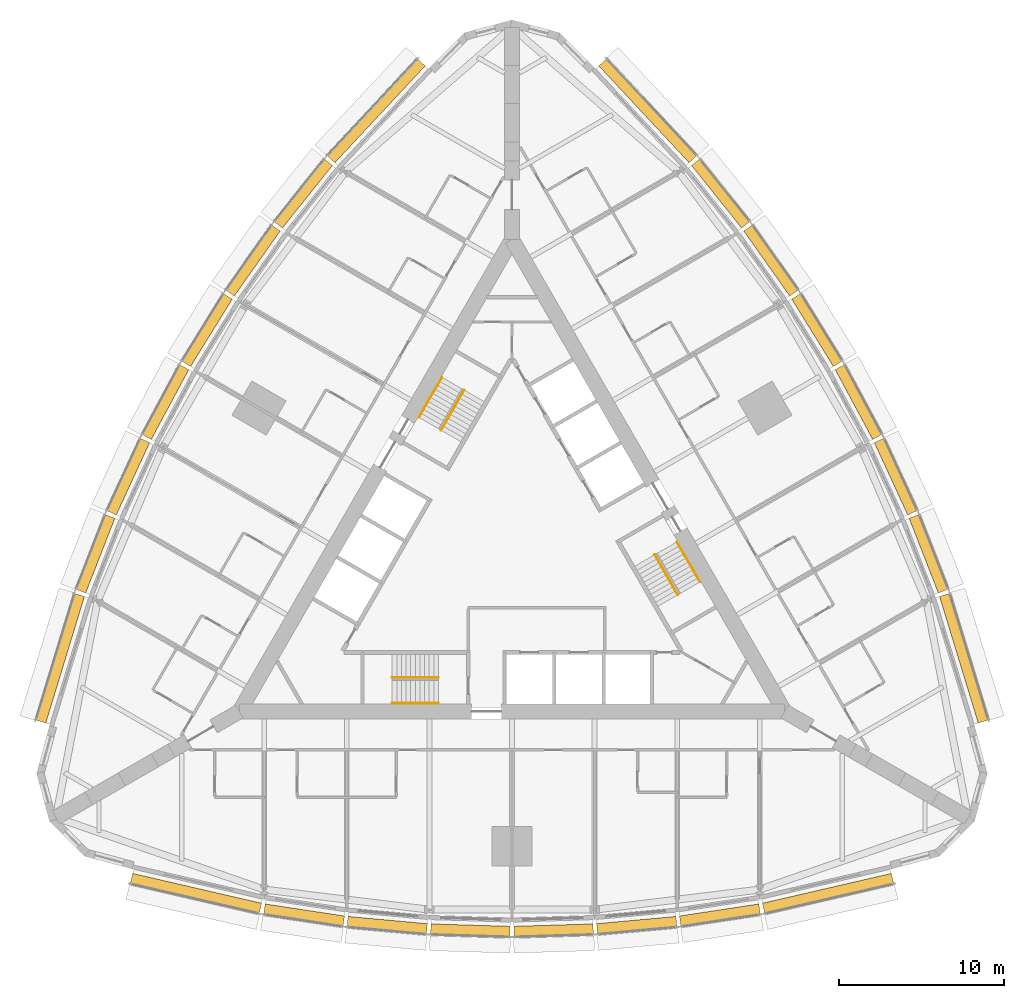
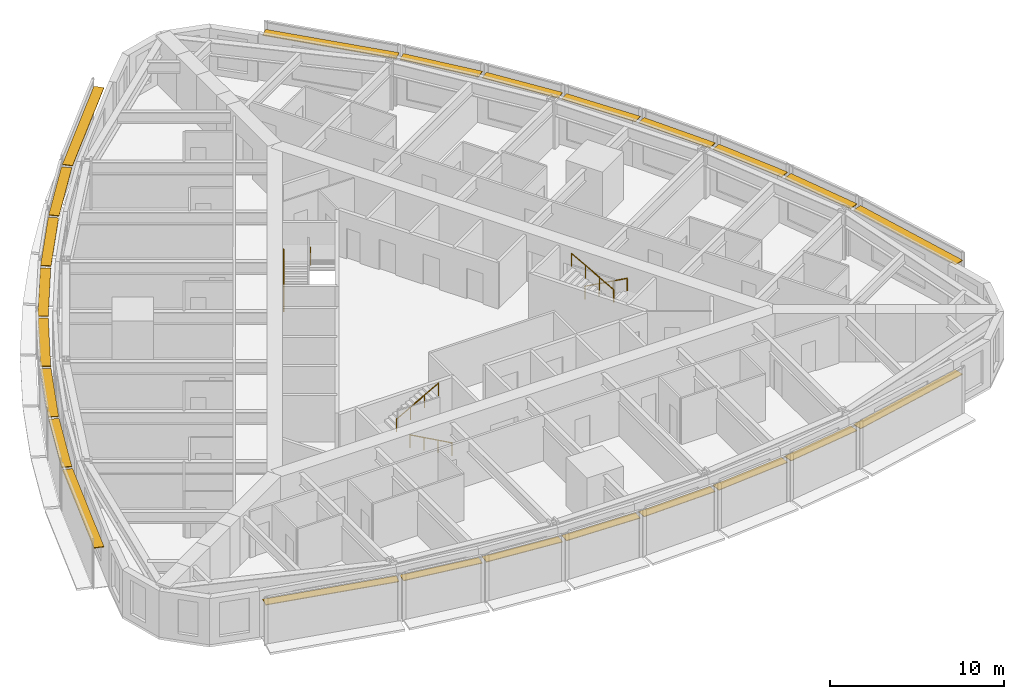
# One storey, part 14 of 14: 24 shading devices, 6 railings.
"""IFC4 building model written with IfcOpenShell, lengths in metres."""

from ifc_helpers import new_model, si_unit, direction, frame, origin, origin_2d, place, context, subcontext, project, spatial, rectangle, circle, extrude, material, type_object, element, save


model = new_model("IFC4")

# Units and contexts
model_context = context("Model", 3, precision=1e-05, world=origin(), true_north=direction((0.0, 1.0)))
body_context = subcontext(model_context, "Body", "Model", "MODEL_VIEW")
ifc_project = project(units=[si_unit("LENGTHUNIT", "METRE"), si_unit("AREAUNIT", "SQUARE_METRE"), si_unit("VOLUMEUNIT", "CUBIC_METRE"), si_unit("PLANEANGLEUNIT", "RADIAN"), si_unit("MASSUNIT", "GRAM", prefix="KILO")], contexts=[model_context])

# Site, building, storey
site_placement = place(None, origin())
site = spatial("IfcSite", under=ifc_project, at=site_placement, CompositionType="ELEMENT")
building_placement = place(site_placement, origin())
building = spatial("IfcBuilding", under=site, at=building_placement, Name="Trikona Tower", CompositionType="ELEMENT")
storey_placement = place(building_placement, frame((0.0, 0.0, 42.10009765625)))
storey = spatial("IfcBuildingStorey", under=building, at=storey_placement, Name="L09", CompositionType="ELEMENT", Elevation=42.10009765625)

# Shading devices
ifc_material_1 = material(Name="Aluminium louvre blade, pale anodised", Category="aluminium")
shading_device_type = type_object("IfcShadingDeviceType", Name="Cavity louvre 600", PredefinedType="USERDEFINED", material=ifc_material_1)
shading_device_1_placement = place(storey_placement, frame((-19.126220703125, -20.5234375, 2.77490234375), z_axis=(0.0, 0.0, 1.0), x_axis=(0.974277718622, -0.225350675607, 0.0)))
element("IfcShadingDevice", 1, at=shading_device_1_placement, inside=storey, type_object=shading_device_type, Name="Cavity louvre L09-00", ObjectType="LOUVRE", PredefinedType="USERDEFINED", context=body_context, shape_type="SweptSolid", body=[
    extrude(rectangle(XDim=8.01123046875, YDim=0.60009765625, at=origin_2d()), origin(), (0.0, 0.0, 1.0), 0.050048828125),
])
shading_device_2_placement = place(storey_placement, frame((-12.584228515625, -21.837158203125, 2.77490234375), z_axis=(0.0, 0.0, 1.0), x_axis=(0.988617896768, -0.150448177754, 0.0)))
element("IfcShadingDevice", 2, at=shading_device_2_placement, inside=storey, type_object=shading_device_type, Name="Cavity louvre L09-01", ObjectType="LOUVRE", PredefinedType="USERDEFINED", context=body_context, shape_type="SweptSolid", body=[
    extrude(rectangle(XDim=4.857666015625, YDim=0.60009765625, at=origin_2d()), origin(), (0.0, 0.0, 1.0), 0.050048828125),
])
shading_device_3_placement = place(storey_placement, frame((-7.55078125, -22.44970703125, 2.77490234375), z_axis=(0.0, 0.0, 1.0), x_axis=(0.995858098326, -0.090921108655, 0.0)))
element("IfcShadingDevice", 3, at=shading_device_3_placement, inside=storey, type_object=shading_device_type, Name="Cavity louvre L09-02", ObjectType="LOUVRE", PredefinedType="USERDEFINED", context=body_context, shape_type="SweptSolid", body=[
    extrude(rectangle(XDim=4.82080078125, YDim=0.60009765625, at=origin_2d()), origin(), (0.0, 0.0, 1.0), 0.050048828125),
])
for number, where, z_axis, x_axis, name in (
    (4, (-2.51708984375, -22.756103515625, 2.77490234375), (0.0, 0.0, 1.0), (0.999537048889, -0.030425119525, 0.0), "Cavity louvre L09-03"),
    (5, (2.51708984375, -22.756103515625, 2.77490234375), (0.0, 0.0, 1.0), (0.999537048889, 0.030425119525, 0.0), "Cavity louvre L09-04"),
):
    element("IfcShadingDevice", number, at=place(storey_placement, frame(where, z_axis=z_axis, x_axis=x_axis)), inside=storey, type_object=shading_device_type, Name=name, ObjectType="LOUVRE", PredefinedType="USERDEFINED", context=body_context, shape_type="SweptSolid", body=[
        extrude(rectangle(XDim=4.80224609375, YDim=0.60009765625, at=origin_2d()), origin(), (0.0, 0.0, 1.0), 0.050048828125),
    ])
shading_device_4_placement = place(storey_placement, frame((7.55078125, -22.44970703125, 2.77490234375), z_axis=(0.0, 0.0, 1.0), x_axis=(0.995858098326, 0.090921108655, 0.0)))
element("IfcShadingDevice", 6, at=shading_device_4_placement, inside=storey, type_object=shading_device_type, Name="Cavity louvre L09-05", ObjectType="LOUVRE", PredefinedType="USERDEFINED", context=body_context, shape_type="SweptSolid", body=[
    extrude(rectangle(XDim=4.82080078125, YDim=0.60009765625, at=origin_2d()), origin(), (0.0, 0.0, 1.0), 0.050048828125),
])
shading_device_5_placement = place(storey_placement, frame((12.584228515625, -21.837158203125, 2.77490234375), z_axis=(0.0, 0.0, 1.0), x_axis=(0.988617896768, 0.150448177754, 0.0)))
element("IfcShadingDevice", 7, at=shading_device_5_placement, inside=storey, type_object=shading_device_type, Name="Cavity louvre L09-06", ObjectType="LOUVRE", PredefinedType="USERDEFINED", context=body_context, shape_type="SweptSolid", body=[
    extrude(rectangle(XDim=4.857666015625, YDim=0.60009765625, at=origin_2d()), origin(), (0.0, 0.0, 1.0), 0.050048828125),
])
for number, where, z_axis, x_axis, name in (
    (8, (19.126220703125, -20.5234375, 2.77490234375), (0.0, 0.0, 1.0), (0.974277718622, 0.225350675607, 0.0), "Cavity louvre L09-07"),
    (9, (27.3369140625, -6.302001953125, 2.77490234375), (0.0, 0.0, 1.0), (-0.291979449475, 0.956424592471, 0.0), "Cavity louvre L09-12"),
):
    element("IfcShadingDevice", number, at=place(storey_placement, frame(where, z_axis=z_axis, x_axis=x_axis)), inside=storey, type_object=shading_device_type, Name=name, ObjectType="LOUVRE", PredefinedType="USERDEFINED", context=body_context, shape_type="SweptSolid", body=[
        extrude(rectangle(XDim=8.01123046875, YDim=0.60009765625, at=origin_2d()), origin(), (0.0, 0.0, 1.0), 0.050048828125),
    ])
shading_device_6_placement = place(storey_placement, frame((25.20361328125, 0.020263671875, 2.77490234375), z_axis=(0.0, 0.0, 1.0), x_axis=(-0.364008876551, 0.931395478726, 0.0)))
element("IfcShadingDevice", 10, at=shading_device_6_placement, inside=storey, type_object=shading_device_type, Name="Cavity louvre L09-13", ObjectType="LOUVRE", PredefinedType="USERDEFINED", context=body_context, shape_type="SweptSolid", body=[
    extrude(rectangle(XDim=4.857666015625, YDim=0.60009765625, at=origin_2d()), origin(), (0.0, 0.0, 1.0), 0.050048828125),
])
shading_device_7_placement = place(storey_placement, frame((23.217529296875, 4.685546875, 2.77490234375), z_axis=(0.0, 0.0, 1.0), x_axis=(-0.41919381307, 0.907896771161, 0.0)))
element("IfcShadingDevice", 11, at=shading_device_7_placement, inside=storey, type_object=shading_device_type, Name="Cavity louvre L09-14", ObjectType="LOUVRE", PredefinedType="USERDEFINED", context=body_context, shape_type="SweptSolid", body=[
    extrude(rectangle(XDim=4.82080078125, YDim=0.60009765625, at=origin_2d()), origin(), (0.0, 0.0, 1.0), 0.050048828125),
])
for number, where, z_axis, x_axis, name in (
    (12, (20.966064453125, 9.1982421875, 2.77490234375), (0.0, 0.0, 1.0), (-0.473422672721, 0.880835383572, 0.0), "Cavity louvre L09-15"),
    (13, (18.448974609375, 13.557861328125, 2.77490234375), (0.0, 0.0, 1.0), (-0.526118935114, 0.85041099835, 0.0), "Cavity louvre L09-16"),
):
    element("IfcShadingDevice", number, at=place(storey_placement, frame(where, z_axis=z_axis, x_axis=x_axis)), inside=storey, type_object=shading_device_type, Name=name, ObjectType="LOUVRE", PredefinedType="USERDEFINED", context=body_context, shape_type="SweptSolid", body=[
        extrude(rectangle(XDim=4.80224609375, YDim=0.60009765625, at=origin_2d()), origin(), (0.0, 0.0, 1.0), 0.050048828125),
    ])
shading_device_8_placement = place(storey_placement, frame((15.666748046875, 17.76416015625, 2.77490234375), z_axis=(0.0, 0.0, 1.0), x_axis=(-0.576661909499, 0.816982889743, 0.0)))
element("IfcShadingDevice", 14, at=shading_device_8_placement, inside=storey, type_object=shading_device_type, Name="Cavity louvre L09-17", ObjectType="LOUVRE", PredefinedType="USERDEFINED", context=body_context, shape_type="SweptSolid", body=[
    extrude(rectangle(XDim=4.82080078125, YDim=0.60009765625, at=origin_2d()), origin(), (0.0, 0.0, 1.0), 0.050048828125),
])
shading_device_9_placement = place(storey_placement, frame((12.619384765625, 21.81689453125, 2.77490234375), z_axis=(0.0, 0.0, 1.0), x_axis=(-0.624603618277, 0.780941944087, 0.0)))
element("IfcShadingDevice", 15, at=shading_device_9_placement, inside=storey, type_object=shading_device_type, Name="Cavity louvre L09-18", ObjectType="LOUVRE", PredefinedType="USERDEFINED", context=body_context, shape_type="SweptSolid", body=[
    extrude(rectangle(XDim=4.857666015625, YDim=0.60009765625, at=origin_2d()), origin(), (0.0, 0.0, 1.0), 0.050048828125),
])
for number, where, z_axis, x_axis, name in (
    (16, (8.210693359375, 26.825439453125, 2.77490234375), (0.0, 0.0, 1.0), (-0.682298269147, 0.731073916864, 0.0), "Cavity louvre L09-19"),
    (17, (-8.210693359375, 26.825439453125, 2.77490234375), (0.0, 0.0, 1.0), (-0.682298269147, -0.731073916864, 0.0), "Cavity louvre L09-24"),
):
    element("IfcShadingDevice", number, at=place(storey_placement, frame(where, z_axis=z_axis, x_axis=x_axis)), inside=storey, type_object=shading_device_type, Name=name, ObjectType="LOUVRE", PredefinedType="USERDEFINED", context=body_context, shape_type="SweptSolid", body=[
        extrude(rectangle(XDim=8.01123046875, YDim=0.60009765625, at=origin_2d()), origin(), (0.0, 0.0, 1.0), 0.050048828125),
    ])
shading_device_10_placement = place(storey_placement, frame((-12.619384765625, 21.81689453125, 2.77490234375), z_axis=(0.0, 0.0, 1.0), x_axis=(-0.624603618277, -0.780941944087, 0.0)))
element("IfcShadingDevice", 18, at=shading_device_10_placement, inside=storey, type_object=shading_device_type, Name="Cavity louvre L09-25", ObjectType="LOUVRE", PredefinedType="USERDEFINED", context=body_context, shape_type="SweptSolid", body=[
    extrude(rectangle(XDim=4.857666015625, YDim=0.60009765625, at=origin_2d()), origin(), (0.0, 0.0, 1.0), 0.050048828125),
])
shading_device_11_placement = place(storey_placement, frame((-15.666748046875, 17.76416015625, 2.77490234375), z_axis=(0.0, 0.0, 1.0), x_axis=(-0.576661909499, -0.816982889743, 0.0)))
element("IfcShadingDevice", 19, at=shading_device_11_placement, inside=storey, type_object=shading_device_type, Name="Cavity louvre L09-26", ObjectType="LOUVRE", PredefinedType="USERDEFINED", context=body_context, shape_type="SweptSolid", body=[
    extrude(rectangle(XDim=4.82080078125, YDim=0.60009765625, at=origin_2d()), origin(), (0.0, 0.0, 1.0), 0.050048828125),
])
for number, where, z_axis, x_axis, name in (
    (20, (-18.448974609375, 13.557861328125, 2.77490234375), (0.0, 0.0, 1.0), (-0.526118935114, -0.85041099835, 0.0), "Cavity louvre L09-27"),
    (21, (-20.966064453125, 9.1982421875, 2.77490234375), (0.0, 0.0, 1.0), (-0.473422672721, -0.880835383572, 0.0), "Cavity louvre L09-28"),
):
    element("IfcShadingDevice", number, at=place(storey_placement, frame(where, z_axis=z_axis, x_axis=x_axis)), inside=storey, type_object=shading_device_type, Name=name, ObjectType="LOUVRE", PredefinedType="USERDEFINED", context=body_context, shape_type="SweptSolid", body=[
        extrude(rectangle(XDim=4.80224609375, YDim=0.60009765625, at=origin_2d()), origin(), (0.0, 0.0, 1.0), 0.050048828125),
    ])
shading_device_12_placement = place(storey_placement, frame((-23.217529296875, 4.685546875, 2.77490234375), z_axis=(0.0, 0.0, 1.0), x_axis=(-0.41919381307, -0.907896771161, 0.0)))
element("IfcShadingDevice", 22, at=shading_device_12_placement, inside=storey, type_object=shading_device_type, Name="Cavity louvre L09-29", ObjectType="LOUVRE", PredefinedType="USERDEFINED", context=body_context, shape_type="SweptSolid", body=[
    extrude(rectangle(XDim=4.82080078125, YDim=0.60009765625, at=origin_2d()), origin(), (0.0, 0.0, 1.0), 0.050048828125),
])
shading_device_13_placement = place(storey_placement, frame((-25.20361328125, 0.020263671875, 2.77490234375), z_axis=(0.0, 0.0, 1.0), x_axis=(-0.364008876551, -0.931395478726, 0.0)))
element("IfcShadingDevice", 23, at=shading_device_13_placement, inside=storey, type_object=shading_device_type, Name="Cavity louvre L09-30", ObjectType="LOUVRE", PredefinedType="USERDEFINED", context=body_context, shape_type="SweptSolid", body=[
    extrude(rectangle(XDim=4.857666015625, YDim=0.60009765625, at=origin_2d()), origin(), (0.0, 0.0, 1.0), 0.050048828125),
])
shading_device_14_placement = place(storey_placement, frame((-27.3369140625, -6.302001953125, 2.77490234375), z_axis=(0.0, 0.0, 1.0), x_axis=(-0.291979449475, -0.956424592471, 0.0)))
element("IfcShadingDevice", 24, at=shading_device_14_placement, inside=storey, type_object=shading_device_type, Name="Cavity louvre L09-31", ObjectType="LOUVRE", PredefinedType="USERDEFINED", context=body_context, shape_type="SweptSolid", body=[
    extrude(rectangle(XDim=8.01123046875, YDim=0.60009765625, at=origin_2d()), origin(), (0.0, 0.0, 1.0), 0.050048828125),
])

# Railings
ifc_material_2 = material(Name="Stainless steel handrail", Category="steel")
railing_type = type_object("IfcRailingType", Name="Stair handrail", PredefinedType="HANDRAIL", material=ifc_material_2)
railing_1_placement = place(storey_placement, frame((-4.449951171875, -9.016357421875, 0.154296875)))
element("IfcRailing", 25, at=railing_1_placement, inside=storey, type_object=railing_type, Name="Stair handrail A L09 1", PredefinedType="HANDRAIL", context=body_context, shape_type="SweptSolid", body=[
    extrude(circle(Radius=0.02392578125, at=origin_2d()), frame((0.0, 0.0, 0.8759765625), z_axis=(-0.875471895205, 0.0, 0.483269035534), x_axis=(0.0, -1.0, 0.0)), (0.0, 0.0, 1.0), 3.1982421875),
    extrude(circle(Radius=0.02099609375, at=origin_2d()), origin(), (0.0, 0.0, 1.0), 0.851806640625),
    extrude(circle(Radius=0.02099609375, at=origin_2d()), frame((-0.933349609375, 0.0, 0.51513671875)), (0.0, 0.0, 1.0), 0.851806640625),
    extrude(circle(Radius=0.02099609375, at=origin_2d()), frame((-1.86669921875, 0.0, 1.030517578125)), (0.0, 0.0, 1.0), 0.851806640625),
    extrude(circle(Radius=0.02099609375, at=origin_2d()), frame((-2.800048828125, 0.0, 1.545654296875)), (0.0, 0.0, 1.0), 0.851806640625),
])
railing_2_placement = place(storey_placement, frame((-7.25, -7.46630859375, 1.8544921875)))
element("IfcRailing", 26, at=railing_2_placement, inside=storey, type_object=railing_type, Name="Stair handrail A L09 2", PredefinedType="HANDRAIL", context=body_context, shape_type="SweptSolid", body=[
    extrude(circle(Radius=0.02392578125, at=origin_2d()), frame((0.0, 0.0, 0.8759765625), z_axis=(0.875504190374, 0.0, 0.483210526207), x_axis=(0.0, 1.0, 0.0)), (0.0, 0.0, 1.0), 3.1982421875),
    extrude(circle(Radius=0.02099609375, at=origin_2d()), origin(), (0.0, 0.0, 1.0), 0.851806640625),
    extrude(circle(Radius=0.02099609375, at=origin_2d()), frame((0.933349609375, 0.0, 0.51513671875)), (0.0, 0.0, 1.0), 0.851806640625),
    extrude(circle(Radius=0.02099609375, at=origin_2d()), frame((1.86669921875, 0.0, 1.0302734375)), (0.0, 0.0, 1.0), 0.851806640625),
    extrude(circle(Radius=0.02099609375, at=origin_2d()), frame((2.800048828125, 0.0, 1.54541015625)), (0.0, 0.0, 1.0), 0.851806640625),
])
railing_3_placement = place(storey_placement, frame((9.9833984375, 0.740966796875, 0.154296875)))
element("IfcRailing", 27, at=railing_3_placement, inside=storey, type_object=railing_type, Name="Stair handrail B L09 1", PredefinedType="HANDRAIL", context=body_context, shape_type="SweptSolid", body=[
    extrude(circle(Radius=0.02392578125, at=origin_2d()), frame((0.0, 0.0, 0.8759765625), z_axis=(0.437691042731, -0.758211567396, 0.483261596012), x_axis=(0.866056369097, 0.49994636267, 0.0)), (0.0, 0.0, 1.0), 3.198486328125),
    extrude(circle(Radius=0.02099609375, at=origin_2d()), origin(), (0.0, 0.0, 1.0), 0.851806640625),
    extrude(circle(Radius=0.02099609375, at=origin_2d()), frame((0.466552734375, -0.808349609375, 0.51513671875)), (0.0, 0.0, 1.0), 0.851806640625),
    extrude(circle(Radius=0.02099609375, at=origin_2d()), frame((0.933349609375, -1.61669921875, 1.030517578125)), (0.0, 0.0, 1.0), 0.851806640625),
    extrude(circle(Radius=0.02099609375, at=origin_2d()), frame((1.39990234375, -2.425048828125, 1.545654296875)), (0.0, 0.0, 1.0), 0.851806640625),
])
railing_4_placement = place(storey_placement, frame((10.041015625, -2.458984375, 1.8544921875)))
element("IfcRailing", 28, at=railing_4_placement, inside=storey, type_object=railing_type, Name="Stair handrail B L09 2", PredefinedType="HANDRAIL", context=body_context, shape_type="SweptSolid", body=[
    extrude(circle(Radius=0.02392578125, at=origin_2d()), frame((0.0, 0.0, 0.8759765625), z_axis=(-0.437707188162, 0.758239536103, 0.483203087036), x_axis=(-0.866056369097, -0.49994636267, 0.0)), (0.0, 0.0, 1.0), 3.1982421875),
    extrude(circle(Radius=0.02099609375, at=origin_2d()), origin(), (0.0, 0.0, 1.0), 0.851806640625),
    extrude(circle(Radius=0.02099609375, at=origin_2d()), frame((-0.466552734375, 0.808349609375, 0.51513671875)), (0.0, 0.0, 1.0), 0.851806640625),
    extrude(circle(Radius=0.02099609375, at=origin_2d()), frame((-0.933349609375, 1.61669921875, 1.0302734375)), (0.0, 0.0, 1.0), 0.851806640625),
    extrude(circle(Radius=0.02099609375, at=origin_2d()), frame((-1.39990234375, 2.425048828125, 1.54541015625)), (0.0, 0.0, 1.0), 0.851806640625),
])
railing_5_placement = place(storey_placement, frame((-5.63330078125, 8.275390625, 0.154296875)))
element("IfcRailing", 29, at=railing_5_placement, inside=storey, type_object=railing_type, Name="Stair handrail C L09 1", PredefinedType="HANDRAIL", context=body_context, shape_type="SweptSolid", body=[
    extrude(circle(Radius=0.02392578125, at=origin_2d()), frame((0.0, 0.0, 0.8759765625), z_axis=(0.437716375571, 0.758179114435, 0.4832895664), x_axis=(-0.866034573852, 0.49998411664, 0.0)), (0.0, 0.0, 1.0), 3.1982421875),
    extrude(circle(Radius=0.02099609375, at=origin_2d()), origin(), (0.0, 0.0, 1.0), 0.851806640625),
    extrude(circle(Radius=0.02099609375, at=origin_2d()), frame((0.466552734375, 0.808349609375, 0.51513671875)), (0.0, 0.0, 1.0), 0.851806640625),
    extrude(circle(Radius=0.02099609375, at=origin_2d()), frame((0.933349609375, 1.616455078125, 1.030517578125)), (0.0, 0.0, 1.0), 0.851806640625),
    extrude(circle(Radius=0.02099609375, at=origin_2d()), frame((1.39990234375, 2.4248046875, 1.545654296875)), (0.0, 0.0, 1.0), 0.851806640625),
])
railing_6_placement = place(storey_placement, frame((-2.89111328125, 9.92529296875, 1.8544921875)))
element("IfcRailing", 30, at=railing_6_placement, inside=storey, type_object=railing_type, Name="Stair handrail C L09 2", PredefinedType="HANDRAIL", context=body_context, shape_type="SweptSolid", body=[
    extrude(circle(Radius=0.02392578125, at=origin_2d()), frame((0.0, 0.0, 0.8759765625), z_axis=(-0.437707188162, -0.758239536103, 0.483203087036), x_axis=(0.866056369097, -0.49994636267, 0.0)), (0.0, 0.0, 1.0), 3.1982421875),
    extrude(circle(Radius=0.02099609375, at=origin_2d()), origin(), (0.0, 0.0, 1.0), 0.851806640625),
    extrude(circle(Radius=0.02099609375, at=origin_2d()), frame((-0.466552734375, -0.808349609375, 0.51513671875)), (0.0, 0.0, 1.0), 0.851806640625),
    extrude(circle(Radius=0.02099609375, at=origin_2d()), frame((-0.933349609375, -1.61669921875, 1.0302734375)), (0.0, 0.0, 1.0), 0.851806640625),
    extrude(circle(Radius=0.02099609375, at=origin_2d()), frame((-1.39990234375, -2.425048828125, 1.54541015625)), (0.0, 0.0, 1.0), 0.851806640625),
])

save(model, "model.ifc")
